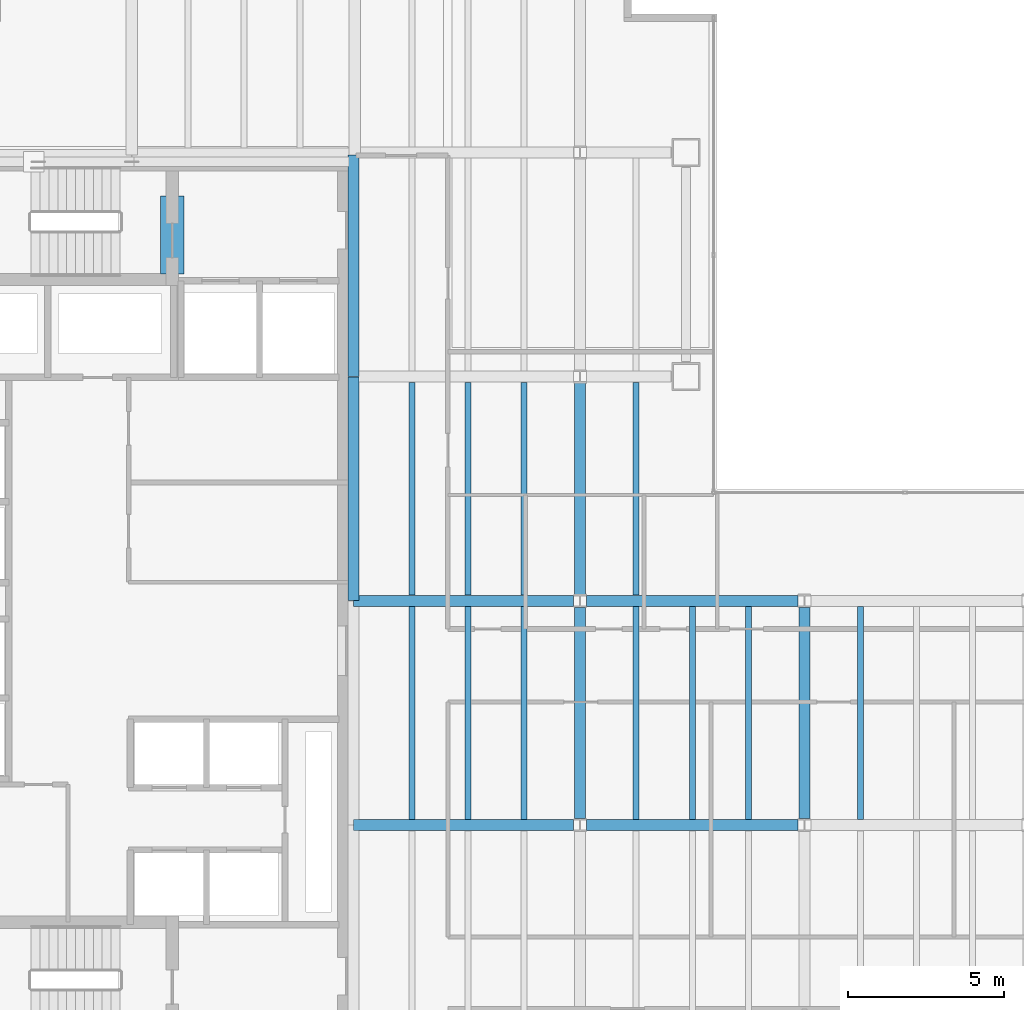
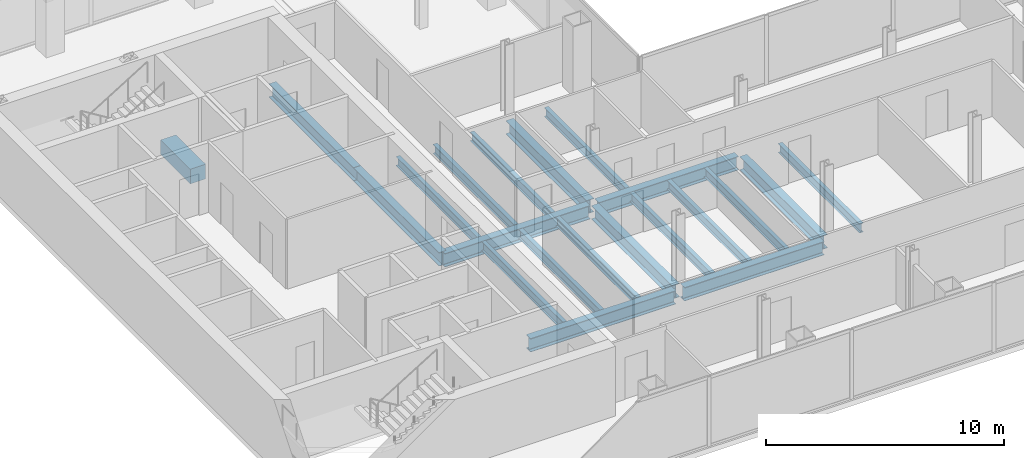
# One storey, part 6 of 23: 21 beams.
"""IFC4 building model written with IfcOpenShell, lengths in metres."""

from ifc_helpers import new_model, si_unit, direction, frame, origin, origin_2d, place, context, subcontext, project, spatial, rectangle, i_section, extrude, material, material_profile, profile_set, type_object, element, save


model = new_model("IFC4")

# Units and contexts
model_context = context("Model", 3, precision=1e-05, world=origin(), true_north=direction((0.0, 1.0)))
body_context = subcontext(model_context, "Body", "Model", "MODEL_VIEW")
ifc_project = project(units=[si_unit("LENGTHUNIT", "METRE"), si_unit("AREAUNIT", "SQUARE_METRE"), si_unit("VOLUMEUNIT", "CUBIC_METRE"), si_unit("PLANEANGLEUNIT", "RADIAN"), si_unit("MASSUNIT", "GRAM", prefix="KILO")], contexts=[model_context])

# Site, building, storey
site_placement = place(None, origin())
site = spatial("IfcSite", under=ifc_project, at=site_placement, CompositionType="ELEMENT")
building_placement = place(site_placement, origin())
building = spatial("IfcBuilding", under=site, at=building_placement, Name="Cobrela Telecom Tower", CompositionType="ELEMENT")
storey_placement = place(building_placement, frame((0.0, 0.0, 117.60009765625)))
storey = spatial("IfcBuildingStorey", under=building, at=storey_placement, Name="L29", CompositionType="ELEMENT", Elevation=117.60009765625)

# Beams
ifc_material_1 = material(Name="Concrete C40/50", Category="concrete")
ifc_material_profile_1 = material_profile(ifc_material_1, rectangle(XDim=0.75, YDim=0.75, at=origin_2d()), Name="RC 750x750")
ifc_profile_set_1 = profile_set([ifc_material_profile_1], Name="Concrete C40/50")
beam_type_1 = type_object("IfcBeamType", Name="BM-COUP-RC", PredefinedType="LINTEL", material=ifc_profile_set_1)
beam_1_placement = place(storey_placement, frame((8.5, 32.10009765625, -0.6201171875), z_axis=(0.0, 1.0, 0.0), x_axis=(-1.0, 0.0, 0.0)))
element("IfcBeam", 1, at=beam_1_placement, inside=storey, type_object=beam_type_1, Name="L29 Core Coupling Lintel Beam", PredefinedType="LINTEL", context=body_context, shape_type="SweptSolid", body=[
    extrude(rectangle(XDim=0.75, YDim=0.75, at=origin_2d()), origin(), (0.0, 0.0, 1.0), 2.5),
])
ifc_material_2 = material(Name="Steel ASTM A992 Grade 50", Category="steel")
ifc_material_profile_2 = material_profile(ifc_material_2, i_section(OverallWidth=0.35595703125, OverallDepth=0.696044921875, WebThickness=0.015380859375, FlangeThickness=0.024658203125, FilletRadius=0.01806640625, at=origin_2d()), Name="W27X146")
ifc_profile_set_2 = profile_set([ifc_material_profile_2], Name="Steel ASTM A992 Grade 50")
beam_type_2 = type_object("IfcBeamType", Name="BM-GIRD-05", PredefinedType="USERDEFINED", material=ifc_profile_set_2)
beam_2_placement = place(storey_placement, frame((14.324951171875, 14.39990234375, -0.6181640625), z_axis=(1.0, 0.0, 0.0), x_axis=(0.0, 1.0, 0.0)))
element("IfcBeam", 2, at=beam_2_placement, inside=storey, type_object=beam_type_2, Name="L29 Primary Girder X13", ObjectType="GIRDER", PredefinedType="USERDEFINED", context=body_context, shape_type="SweptSolid", body=[
    extrude(i_section(OverallWidth=0.35595703125, OverallDepth=0.696044921875, WebThickness=0.015380859375, FlangeThickness=0.024658203125, FilletRadius=0.01806640625, at=origin_2d()), origin(), (0.0, 0.0, 1.0), 7.0654296875),
])
beam_3_placement = place(storey_placement, frame((21.8095703125, 14.39990234375, -0.6181640625), z_axis=(1.0, 0.0, 0.0), x_axis=(0.0, 1.0, 0.0)))
element("IfcBeam", 3, at=beam_3_placement, inside=storey, type_object=beam_type_2, Name="L29 Primary Girder X14", ObjectType="GIRDER", PredefinedType="USERDEFINED", context=body_context, shape_type="SweptSolid", body=[
    extrude(i_section(OverallWidth=0.35595703125, OverallDepth=0.696044921875, WebThickness=0.015380859375, FlangeThickness=0.024658203125, FilletRadius=0.01806640625, at=origin_2d()), origin(), (0.0, 0.0, 1.0), 6.781005859375),
])
beam_4_placement = place(storey_placement, frame((14.324951171875, 21.60009765625, -0.6181640625), z_axis=(1.0, 0.0, 0.0), x_axis=(0.0, 1.0, 0.0)))
element("IfcBeam", 4, at=beam_4_placement, inside=storey, type_object=beam_type_2, Name="L29 Primary Girder X18", ObjectType="GIRDER", PredefinedType="USERDEFINED", context=body_context, shape_type="SweptSolid", body=[
    extrude(i_section(OverallWidth=0.35595703125, OverallDepth=0.696044921875, WebThickness=0.015380859375, FlangeThickness=0.024658203125, FilletRadius=0.01806640625, at=origin_2d()), origin(), (0.0, 0.0, 1.0), 7.0654296875),
])
beam_5_placement = place(storey_placement, frame((21.8095703125, 21.60009765625, -0.6181640625), z_axis=(1.0, 0.0, 0.0), x_axis=(0.0, 1.0, 0.0)))
element("IfcBeam", 5, at=beam_5_placement, inside=storey, type_object=beam_type_2, Name="L29 Primary Girder X19", ObjectType="GIRDER", PredefinedType="USERDEFINED", context=body_context, shape_type="SweptSolid", body=[
    extrude(i_section(OverallWidth=0.35595703125, OverallDepth=0.696044921875, WebThickness=0.015380859375, FlangeThickness=0.024658203125, FilletRadius=0.01806640625, at=origin_2d()), origin(), (0.0, 0.0, 1.0), 6.781005859375),
])
beam_6_placement = place(storey_placement, frame((14.320068359375, 21.60498046875, -0.6181640625), z_axis=(0.0, 1.0, 0.0), x_axis=(-1.0, 0.0, 0.0)))
element("IfcBeam", 6, at=beam_6_placement, inside=storey, type_object=beam_type_2, Name="L29 Primary Girder Y36", ObjectType="GIRDER", PredefinedType="USERDEFINED", context=body_context, shape_type="SweptSolid", body=[
    extrude(i_section(OverallWidth=0.35595703125, OverallDepth=0.696044921875, WebThickness=0.015380859375, FlangeThickness=0.024658203125, FilletRadius=0.01806640625, at=origin_2d()), origin(), (0.0, 0.0, 1.0), 7.18994140625),
])
beam_7_placement = place(storey_placement, frame((14.320068359375, 28.804931640625, -0.6181640625), z_axis=(0.0, 1.0, 0.0), x_axis=(-1.0, 0.0, 0.0)))
element("IfcBeam", 7, at=beam_7_placement, inside=storey, type_object=beam_type_2, Name="L29 Primary Girder Y37", ObjectType="GIRDER", PredefinedType="USERDEFINED", context=body_context, shape_type="SweptSolid", body=[
    extrude(i_section(OverallWidth=0.35595703125, OverallDepth=0.696044921875, WebThickness=0.015380859375, FlangeThickness=0.024658203125, FilletRadius=0.01806640625, at=origin_2d()), origin(), (0.0, 0.0, 1.0), 7.110107421875),
])
beam_8_placement = place(storey_placement, frame((21.60009765625, 14.609619140625, -0.6181640625), z_axis=(0.0, 1.0, 0.0), x_axis=(-1.0, 0.0, 0.0)))
element("IfcBeam", 8, at=beam_8_placement, inside=storey, type_object=beam_type_2, Name="L29 Primary Girder Y41", ObjectType="GIRDER", PredefinedType="USERDEFINED", context=body_context, shape_type="SweptSolid", body=[
    extrude(i_section(OverallWidth=0.35595703125, OverallDepth=0.696044921875, WebThickness=0.015380859375, FlangeThickness=0.024658203125, FilletRadius=0.01806640625, at=origin_2d()), origin(), (0.0, 0.0, 1.0), 6.78076171875),
])
beam_9_placement = place(storey_placement, frame((21.60009765625, 21.8095703125, -0.6181640625), z_axis=(0.0, 1.0, 0.0), x_axis=(-1.0, 0.0, 0.0)))
element("IfcBeam", 9, at=beam_9_placement, inside=storey, type_object=beam_type_2, Name="L29 Primary Girder Y42", ObjectType="GIRDER", PredefinedType="USERDEFINED", context=body_context, shape_type="SweptSolid", body=[
    extrude(i_section(OverallWidth=0.35595703125, OverallDepth=0.696044921875, WebThickness=0.015380859375, FlangeThickness=0.024658203125, FilletRadius=0.01806640625, at=origin_2d()), origin(), (0.0, 0.0, 1.0), 6.781005859375),
])
beam_10_placement = place(storey_placement, frame((28.800048828125, 14.609619140625, -0.6181640625), z_axis=(0.0, 1.0, 0.0), x_axis=(-1.0, 0.0, 0.0)))
element("IfcBeam", 10, at=beam_10_placement, inside=storey, type_object=beam_type_2, Name="L29 Primary Girder Y48", ObjectType="GIRDER", PredefinedType="USERDEFINED", context=body_context, shape_type="SweptSolid", body=[
    extrude(i_section(OverallWidth=0.35595703125, OverallDepth=0.696044921875, WebThickness=0.015380859375, FlangeThickness=0.024658203125, FilletRadius=0.01806640625, at=origin_2d()), origin(), (0.0, 0.0, 1.0), 6.78076171875),
])
ifc_material_profile_3 = material_profile(ifc_material_2, i_section(OverallWidth=0.193115234375, OverallDepth=0.467041015625, WebThickness=0.011474609375, FlangeThickness=0.01904296875, FilletRadius=0.012939453125, at=origin_2d()), Name="W18X65")
ifc_profile_set_3 = profile_set([ifc_material_profile_3], Name="Steel ASTM A992 Grade 50")
beam_type_3 = type_object("IfcBeamType", Name="BM-JOIST-03", PredefinedType="JOIST", material=ifc_profile_set_3)
for number, where, z_axis, x_axis, name in (
    (11, (16.199951171875, 14.5830078125, -0.503662109375), (0.0, 1.0, 0.0), (-1.0, 0.0, 0.0), "L29 Secondary Composite Floor Beam J05"),
    (12, (16.199951171875, 21.782958984375, -0.503662109375), (0.0, 1.0, 0.0), (-1.0, 0.0, 0.0), "L29 Secondary Composite Floor Beam J06"),
    (13, (18.0, 14.5830078125, -0.503662109375), (0.0, 1.0, 0.0), (-1.0, 0.0, 0.0), "L29 Secondary Composite Floor Beam J10"),
    (14, (18.0, 21.782958984375, -0.503662109375), (0.0, 1.0, 0.0), (-1.0, 0.0, 0.0), "L29 Secondary Composite Floor Beam J11"),
    (15, (19.800048828125, 14.5830078125, -0.503662109375), (0.0, 1.0, 0.0), (-1.0, 0.0, 0.0), "L29 Secondary Composite Floor Beam J15"),
    (16, (19.800048828125, 21.782958984375, -0.503662109375), (0.0, 1.0, 0.0), (-1.0, 0.0, 0.0), "L29 Secondary Composite Floor Beam J16"),
    (17, (23.39990234375, 14.5830078125, -0.503662109375), (0.0, 1.0, 0.0), (-1.0, 0.0, 0.0), "L29 Secondary Composite Floor Beam J20"),
    (18, (23.39990234375, 21.782958984375, -0.503662109375), (0.0, 1.0, 0.0), (-1.0, 0.0, 0.0), "L29 Secondary Composite Floor Beam J21"),
    (19, (25.199951171875, 14.5830078125, -0.503662109375), (0.0, 1.0, 0.0), (-1.0, 0.0, 0.0), "L29 Secondary Composite Floor Beam J24"),
    (20, (27.0, 14.5830078125, -0.503662109375), (0.0, 1.0, 0.0), (-1.0, 0.0, 0.0), "L29 Secondary Composite Floor Beam J26"),
    (21, (30.60009765625, 14.5830078125, -0.503662109375), (0.0, 1.0, 0.0), (-1.0, 0.0, 0.0), "L29 Secondary Composite Floor Beam J28"),
):
    element("IfcBeam", number, at=place(storey_placement, frame(where, z_axis=z_axis, x_axis=x_axis)), inside=storey, type_object=beam_type_3, Name=name, PredefinedType="JOIST", context=body_context, shape_type="SweptSolid", body=[
        extrude(i_section(OverallWidth=0.193115234375, OverallDepth=0.467041015625, WebThickness=0.011474609375, FlangeThickness=0.01904296875, FilletRadius=0.012939453125, at=origin_2d()), origin(), (0.0, 0.0, 1.0), 6.833984375),
    ])

save(model, "model.ifc")
